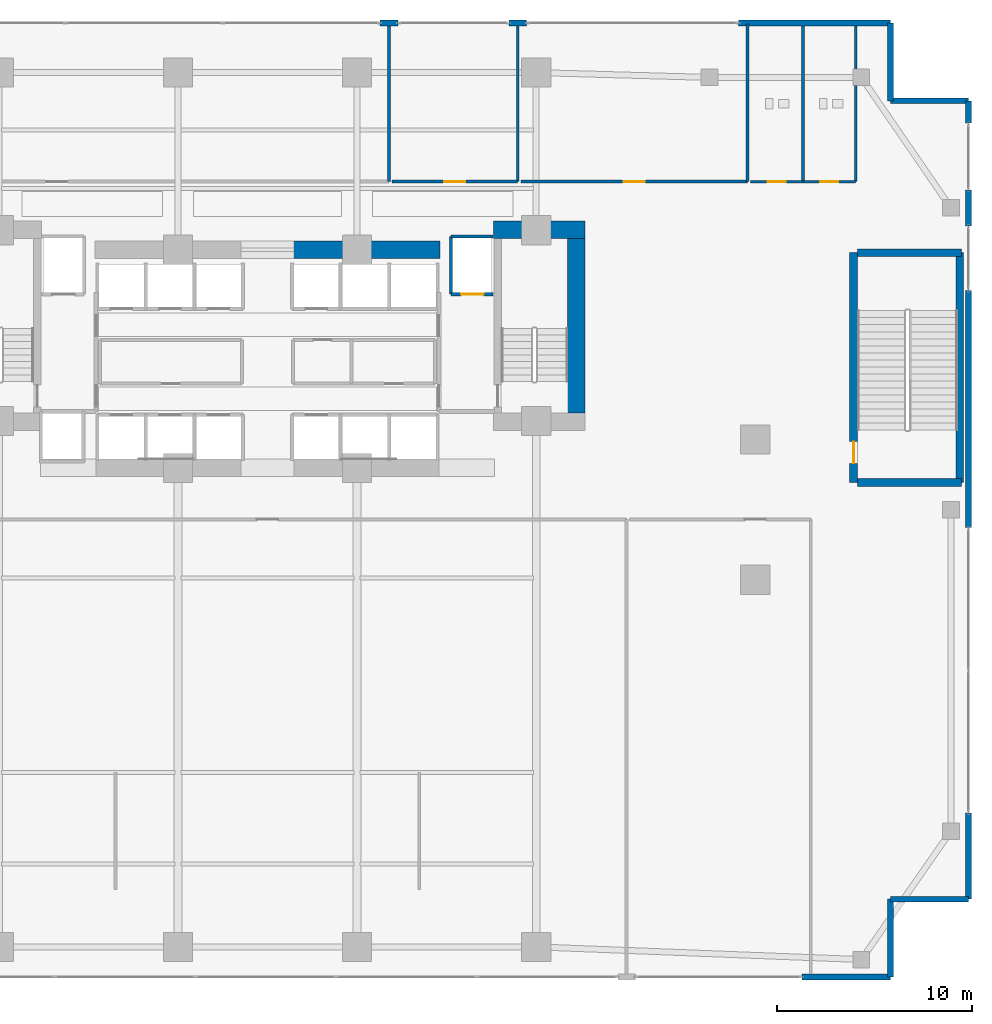
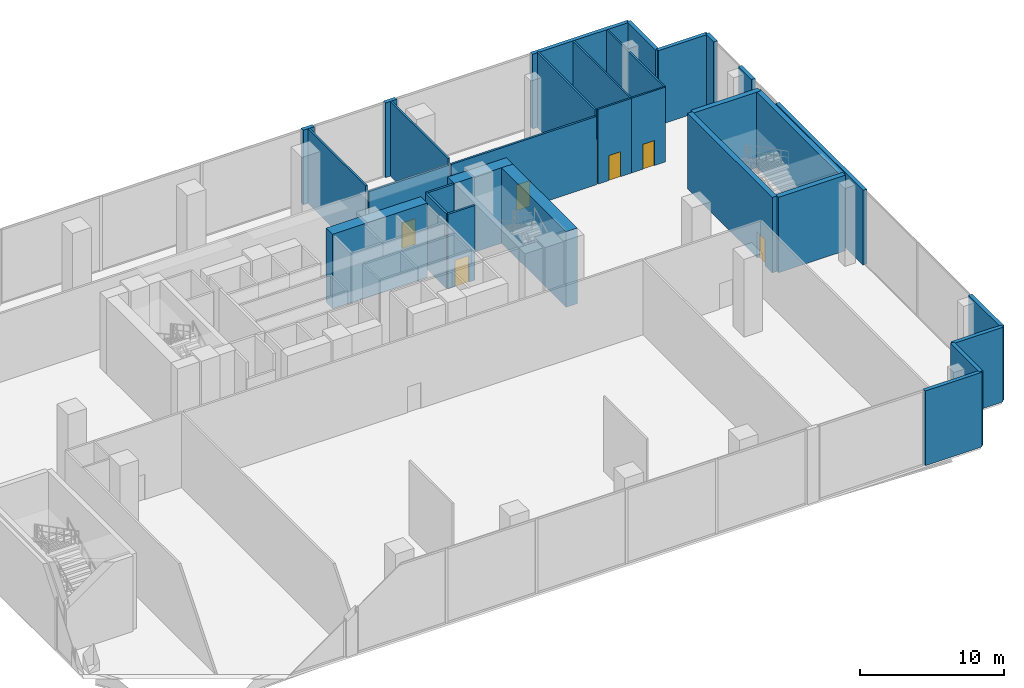
# One storey, part 25 of 30: 31 walls, 6 doors, 6 openings.
"""IFC4 building model written with IfcOpenShell, lengths in metres."""

from ifc_helpers import new_model, si_unit, direction, frame, frame_2d, origin, place, context, subcontext, project, spatial, rectangle, extrude, material, layer, layer_set, type_object, element, fill, save


model = new_model("IFC4")

# Units and contexts
model_context = context("Model", 3, precision=1e-05, world=origin(), true_north=direction((0.0, 1.0)))
body_context = subcontext(model_context, "Body", "Model", "MODEL_VIEW")
ifc_project = project(units=[si_unit("LENGTHUNIT", "METRE"), si_unit("AREAUNIT", "SQUARE_METRE"), si_unit("VOLUMEUNIT", "CUBIC_METRE"), si_unit("PLANEANGLEUNIT", "RADIAN"), si_unit("MASSUNIT", "GRAM", prefix="KILO")], contexts=[model_context])

# Site, building, storey
site_placement = place(None, origin())
site = spatial("IfcSite", under=ifc_project, at=site_placement, CompositionType="ELEMENT")
building_placement = place(site_placement, origin())
building = spatial("IfcBuilding", under=site, at=building_placement, Name="Zuhayl Quay Hotel", CompositionType="ELEMENT")
storey_placement = place(building_placement, frame((0.0, 0.0, 11.39990234375)))
storey = spatial("IfcBuildingStorey", under=building, at=storey_placement, Name="L02", CompositionType="ELEMENT", Elevation=11.39990234375)

# Walls
ifc_material_1 = material(Name="Concrete C70/85", Category="concrete")
ifc_layer_1 = layer(ifc_material_1, 0.89990234375, Name="Concrete C70/85", Category="concrete")
ifc_layer_set_1 = layer_set([ifc_layer_1], Name="Concrete C70/85")
wall_type_1 = type_object("IfcWallType", Name="WL_CORE_900", PredefinedType="SHEAR", material=ifc_layer_set_1)
wall_1_placement = place(storey_placement, frame((11.60009765625, 14.3798828125, 0.0), z_axis=(0.0, 0.0, 1.0), x_axis=(1.0, 0.0, 0.0)))
element("IfcWall", 1, at=wall_1_placement, inside=storey, type_object=wall_type_1, Name="L02 Core Shear Wall CW_NE", PredefinedType="SHEAR", context=body_context, shape_type="SweptSolid", body=[
    extrude(rectangle(XDim=4.7099609375, YDim=0.89990234375, at=frame_2d((2.35498046875, 0.0))), origin(), (0.0, 0.0, 1.0), 6.41015625),
])
wall_2_placement = place(storey_placement, frame((15.860107421875, 4.969970703125, 0.0), z_axis=(0.0, 0.0, 1.0), x_axis=(0.0, 1.0, 0.0)))
element("IfcWall", 2, at=wall_2_placement, inside=storey, type_object=wall_type_1, Name="L02 Core Shear Wall CW_E", PredefinedType="SHEAR", context=body_context, shape_type="SweptSolid", body=[
    extrude(rectangle(XDim=8.9599609375, YDim=0.89990234375, at=frame_2d((4.47998046875, 0.0))), origin(), (0.0, 0.0, 1.0), 6.41015625),
])
wall_3_placement = place(storey_placement, frame((1.25, 13.35009765625, 0.0), z_axis=(0.0, 0.0, 1.0), x_axis=(1.0, 0.0, 0.0)))
element("IfcWall", 3, at=wall_3_placement, inside=storey, type_object=wall_type_1, Name="L02 Core Shear Wall CW_NC_E", PredefinedType="SHEAR", context=body_context, shape_type="SweptSolid", body=[
    extrude(rectangle(XDim=7.60009765625, YDim=0.89990234375, at=frame_2d((3.800048828125, 0.0))), origin(), (0.0, 0.0, 1.0), 6.340087890625),
])
ifc_material_2 = material(Name="Precast concrete C45/55", Category="concrete")
ifc_layer_2 = layer(ifc_material_2, 0.300048828125, Name="Precast concrete C45/55", Category="concrete")
ifc_layer_set_2 = layer_set([ifc_layer_2], Name="Precast concrete C45/55")
wall_type_2 = type_object("IfcWallType", Name="WL_EXT_300", PredefinedType="STANDARD", material=ifc_layer_set_2)
wall_4_placement = place(storey_placement, frame((5.7900390625, 25.0, 0.0), z_axis=(0.0, 0.0, 1.0), x_axis=(1.0, 0.0, 0.0)))
element("IfcWall", 4, at=wall_4_placement, inside=storey, type_object=wall_type_2, Name="L02 Exterior Precast Wall ENV_L02_E05_EW4", PredefinedType="STANDARD", context=body_context, shape_type="SweptSolid", body=[
    extrude(rectangle(XDim=0.89990234375, YDim=0.300048828125, at=frame_2d((0.449951171875, 0.0))), origin(), (0.0, 0.0, 1.0), 6.340087890625),
])
wall_5_placement = place(storey_placement, frame((12.39990234375, 25.0, 0.0), z_axis=(0.0, 0.0, 1.0), x_axis=(1.0, 0.0, 0.0)))
element("IfcWall", 5, at=wall_5_placement, inside=storey, type_object=wall_type_2, Name="L02 Exterior Precast Wall ENV_L02_E05_EW5", PredefinedType="STANDARD", context=body_context, shape_type="SweptSolid", body=[
    extrude(rectangle(XDim=0.900146484375, YDim=0.300048828125, at=frame_2d((0.4501953125, 0.0))), origin(), (0.0, 0.0, 1.0), 6.340087890625),
])
wall_6_placement = place(storey_placement, frame((24.199951171875, 25.0, 0.0), z_axis=(0.0, 0.0, 1.0), x_axis=(1.0, 0.0, 0.0)))
element("IfcWall", 6, at=wall_6_placement, inside=storey, type_object=wall_type_2, Name="L02 Exterior Precast Wall ENV_L02_E05_EW6", PredefinedType="STANDARD", context=body_context, shape_type="SweptSolid", body=[
    extrude(rectangle(XDim=7.800048828125, YDim=0.300048828125, at=frame_2d((3.89990234375, 0.0))), origin(), (0.0, 0.0, 1.0), 6.340087890625),
])
for number, where, z_axis, x_axis, name in (
    (7, (32.0, 25.0, 0.0), (0.0, 0.0, 1.0), (0.0, -1.0, 0.0), "L02 Exterior Precast Wall ENV_L02_EW06"),
    (8, (32.0, 21.0, 0.0), (0.0, 0.0, 1.0), (1.0, 0.0, 0.0), "L02 Exterior Precast Wall ENV_L02_EW07"),
):
    element("IfcWall", number, at=place(storey_placement, frame(where, z_axis=z_axis, x_axis=x_axis)), inside=storey, type_object=wall_type_2, Name=name, PredefinedType="STANDARD", context=body_context, shape_type="SweptSolid", body=[
        extrude(rectangle(XDim=4.0, YDim=0.300048828125, at=frame_2d((2.0, 0.0))), origin(), (0.0, 0.0, 1.0), 6.340087890625),
    ])
wall_7_placement = place(storey_placement, frame((36.0, 21.0, 0.0), z_axis=(0.0, 0.0, 1.0), x_axis=(0.0, -1.0, 0.0)))
element("IfcWall", 9, at=wall_7_placement, inside=storey, type_object=wall_type_2, Name="L02 Exterior Precast Wall ENV_L02_E08_EW1", PredefinedType="STANDARD", context=body_context, shape_type="SweptSolid", body=[
    extrude(rectangle(XDim=1.14990234375, YDim=0.300048828125, at=frame_2d((0.574951171875, 0.0))), origin(), (0.0, 0.0, 1.0), 6.340087890625),
])
wall_8_placement = place(storey_placement, frame((36.0, 16.419921875, 0.0), z_axis=(0.0, 0.0, 1.0), x_axis=(0.0, -1.0, 0.0)))
element("IfcWall", 10, at=wall_8_placement, inside=storey, type_object=wall_type_2, Name="L02 Exterior Precast Wall ENV_L02_E08_EW2", PredefinedType="STANDARD", context=body_context, shape_type="SweptSolid", body=[
    extrude(rectangle(XDim=1.83984375, YDim=0.300048828125, at=frame_2d((0.919921875, 0.0))), origin(), (0.0, 0.0, 1.0), 6.340087890625),
])
wall_9_placement = place(storey_placement, frame((36.0, 11.25, 0.0), z_axis=(0.0, 0.0, 1.0), x_axis=(0.0, -1.0, 0.0)))
element("IfcWall", 11, at=wall_9_placement, inside=storey, type_object=wall_type_2, Name="L02 Exterior Precast Wall ENV_L02_E08_EW3", PredefinedType="STANDARD", context=body_context, shape_type="SweptSolid", body=[
    extrude(rectangle(XDim=12.169921875, YDim=0.300048828125, at=frame_2d((6.0849609375, 0.0))), origin(), (0.0, 0.0, 1.0), 6.340087890625),
])
wall_10_placement = place(storey_placement, frame((36.0, -15.580078125, 0.0), z_axis=(0.0, 0.0, 1.0), x_axis=(0.0, -1.0, 0.0)))
element("IfcWall", 12, at=wall_10_placement, inside=storey, type_object=wall_type_2, Name="L02 Exterior Precast Wall ENV_L02_E08_EW4", PredefinedType="STANDARD", context=body_context, shape_type="SweptSolid", body=[
    extrude(rectangle(XDim=4.419921875, YDim=0.300048828125, at=frame_2d((2.2099609375, 0.0))), origin(), (0.0, 0.0, 1.0), 6.340087890625),
])
for number, where, z_axis, x_axis, name in (
    (13, (36.0, -20.0, 0.0), (0.0, 0.0, 1.0), (-1.0, 0.0, 0.0), "L02 Exterior Precast Wall ENV_L02_EW09"),
    (14, (32.0, -20.0, 0.0), (0.0, 0.0, 1.0), (0.0, -1.0, 0.0), "L02 Exterior Precast Wall ENV_L02_EW10"),
):
    element("IfcWall", number, at=place(storey_placement, frame(where, z_axis=z_axis, x_axis=x_axis)), inside=storey, type_object=wall_type_2, Name=name, PredefinedType="STANDARD", context=body_context, shape_type="SweptSolid", body=[
        extrude(rectangle(XDim=4.0, YDim=0.300048828125, at=frame_2d((2.0, 0.0))), origin(), (0.0, 0.0, 1.0), 6.340087890625),
    ])
wall_11_placement = place(storey_placement, frame((32.0, -24.0, 0.0), z_axis=(0.0, 0.0, 1.0), x_axis=(-1.0, 0.0, 0.0)))
element("IfcWall", 15, at=wall_11_placement, inside=storey, type_object=wall_type_2, Name="L02 Exterior Precast Wall ENV_L02_E11_EW1", PredefinedType="STANDARD", context=body_context, shape_type="SweptSolid", body=[
    extrude(rectangle(XDim=4.550048828125, YDim=0.300048828125, at=frame_2d((2.27490234375, 0.0))), origin(), (0.0, 0.0, 1.0), 6.340087890625),
])
ifc_material_3 = material(Name="Acoustic Gypsum Partition STC-58")
ifc_layer_3 = layer(ifc_material_3, 0.14990234375, Name="Acoustic Gypsum Partition STC-58")
ifc_layer_set_3 = layer_set([ifc_layer_3], Name="Acoustic Gypsum Partition STC-58")
wall_type_3 = type_object("IfcWallType", Name="WL_PART_150", PredefinedType="PARTITIONING", material=ifc_layer_set_3)
for number, where, z_axis, x_axis, name in (
    (16, (6.239990234375, 16.85009765625, 0.0), (0.0, 0.0, 1.0), (0.0, 1.0, 0.0), "L02 Partition IW_L02_SEA_FOYER_E"),
    (17, (12.85009765625, 16.85009765625, 0.0), (0.0, 0.0, 1.0), (0.0, 1.0, 0.0), "L02 Partition IW_L02_AV_CTRL_E"),
    (18, (24.64990234375, 16.85009765625, 0.0), (0.0, 0.0, 1.0), (0.0, 1.0, 0.0), "L02 Partition IW_L02_BANQ_RECEP_E"),
):
    element("IfcWall", number, at=place(storey_placement, frame(where, z_axis=z_axis, x_axis=x_axis)), inside=storey, type_object=wall_type_3, Name=name, PredefinedType="PARTITIONING", context=body_context, shape_type="SweptSolid", body=[
        extrude(rectangle(XDim=8.08984375, YDim=0.14990234375, at=frame_2d((4.044921875, 0.0))), origin(), (0.0, 0.0, 1.0), 6.340087890625),
    ])

# Wall, opening, door
ifc_layer_4 = layer(ifc_material_3, 0.159912109375, Name="Acoustic Gypsum Partition STC-58")
ifc_layer_set_4 = layer_set([ifc_layer_4], Name="Acoustic Gypsum Partition STC-58")
wall_type_4 = type_object("IfcWallType", Name="WL_PART_CORR_160", PredefinedType="PARTITIONING", material=ifc_layer_set_4)
wall_12_placement = place(storey_placement, frame((6.39990234375, 16.85009765625, 0.0), z_axis=(0.0, 0.0, 1.0), x_axis=(1.0, 0.0, 0.0)))
wall_12 = element("IfcWall", 19, at=wall_12_placement, inside=storey, type_object=wall_type_4, Name="L02 Partition IW_L02_AV_CTRL_S", PredefinedType="PARTITIONING", context=body_context, shape_type="SweptSolid", body=[
    extrude(rectangle(XDim=6.4501953125, YDim=0.159912109375, at=frame_2d((3.22509765625, 0.0))), origin(), (0.0, 0.0, 1.0), 5.80712890625),
])
opening_1_placement = place(wall_12_placement, frame((2.68505859375, 0.0, 0.0)))
opening_1 = element("IfcOpeningElement", 20, at=opening_1_placement, cuts=wall_12, Name="Opening D05A", PredefinedType="OPENING", context=body_context, shape_type="SweptSolid", body=[
    extrude(rectangle(XDim=1.080078125, YDim=2.179931640625, at=frame_2d((0.5400390625, 1.08984375))), frame((0.0, 0.08984375, 0.0), z_axis=(0.0, -1.0, 0.0), x_axis=(1.0, 0.0, 0.0)), (0.0, 0.0, 1.0), 0.179931640625),
])
ifc_material_4 = material(Name="Solid Walnut Acoustic Fire Door")
door_type_1 = type_object("IfcDoorType", Name="DR_INT_1100", OperationType="NOTDEFINED", PredefinedType="DOOR", material=ifc_material_4)
door_1_placement = place(opening_1_placement, origin())
door_1 = element("IfcDoor", 21, at=door_1_placement, inside=storey, type_object=door_type_1, Name="L02 Ballroom AV Control Office Door", OperationType="SINGLE_SWING_RIGHT", OverallHeight=2.179931640625, OverallWidth=1.080078125, PredefinedType="DOOR", context=body_context, shape_type="SweptSolid", body=[
    extrude(rectangle(XDim=1.080078125, YDim=2.179931640625, at=frame_2d((0.5400390625, 1.08984375))), frame((0.0, 0.02490234375, 0.0), z_axis=(0.0, -1.0, 0.0), x_axis=(1.0, 0.0, 0.0)), (0.0, 0.0, 1.0), 0.050048828125),
])
fill(opening_1, door_1)

wall_13_placement = place(storey_placement, frame((13.010009765625, 16.85009765625, 0.0), z_axis=(0.0, 0.0, 1.0), x_axis=(1.0, 0.0, 0.0)))
wall_13 = element("IfcWall", 22, at=wall_13_placement, inside=storey, type_object=wall_type_4, Name="L02 Partition IW_L02_BANQ_RECEP_S", PredefinedType="PARTITIONING", context=body_context, shape_type="SweptSolid", body=[
    extrude(rectangle(XDim=11.639892578125, YDim=0.159912109375, at=frame_2d((5.81982421875, 0.0))), origin(), (0.0, 0.0, 1.0), 5.80712890625),
])
opening_2_placement = place(wall_13_placement, frame((5.280029296875, 0.0, 0.0)))
opening_2 = element("IfcOpeningElement", 23, at=opening_2_placement, cuts=wall_13, Name="Opening D05A", PredefinedType="OPENING", context=body_context, shape_type="SweptSolid", body=[
    extrude(rectangle(XDim=1.080078125, YDim=2.179931640625, at=frame_2d((0.5400390625, 1.08984375))), frame((0.0, 0.08984375, 0.0), z_axis=(0.0, -1.0, 0.0), x_axis=(1.0, 0.0, 0.0)), (0.0, 0.0, 1.0), 0.179931640625),
])
door_2_placement = place(opening_2_placement, origin())
door_2 = element("IfcDoor", 24, at=door_2_placement, inside=storey, type_object=door_type_1, Name="L02 Ballroom Furniture and Linen Store Door", OperationType="SINGLE_SWING_LEFT", OverallHeight=2.179931640625, OverallWidth=1.080078125, PredefinedType="DOOR", context=body_context, shape_type="SweptSolid", body=[
    extrude(rectangle(XDim=1.080078125, YDim=2.179931640625, at=frame_2d((0.5400390625, 1.08984375))), frame((0.0, 0.02490234375, 0.0), z_axis=(0.0, -1.0, 0.0), x_axis=(1.0, 0.0, 0.0)), (0.0, 0.0, 1.0), 0.050048828125),
])
fill(opening_2, door_2)

ifc_material_5 = material(Name="Moisture-Resistant Sanitarychase Gypsum")
ifc_layer_5 = layer(ifc_material_5, 0.135009765625, Name="Moisture-Resistant Sanitarychase Gypsum")
ifc_layer_set_5 = layer_set([ifc_layer_5], Name="Moisture-Resistant Sanitarychase Gypsum")
wall_type_5 = type_object("IfcWallType", Name="WL_PART_PLUMB_150", PredefinedType="PLUMBINGWALL", material=ifc_layer_set_5)
wall_14_placement = place(storey_placement, frame((24.800048828125, 16.85009765625, 0.0), z_axis=(0.0, 0.0, 1.0), x_axis=(1.0, 0.0, 0.0)))
wall_14 = element("IfcWall", 25, at=wall_14_placement, inside=storey, type_object=wall_type_5, Name="L02 Partition IW_L02_PWC_PUB_F", PredefinedType="PLUMBINGWALL", context=body_context, shape_type="SweptSolid", body=[
    extrude(rectangle(XDim=2.699951171875, YDim=0.135009765625, at=frame_2d((1.35009765625, 0.0))), origin(), (0.0, 0.0, 1.0), 6.340087890625),
])
opening_3_placement = place(wall_14_placement, frame((0.889892578125, 0.0, 0.0)))
opening_3 = element("IfcOpeningElement", 26, at=opening_3_placement, cuts=wall_14, Name="Opening D05", PredefinedType="OPENING", context=body_context, shape_type="SweptSolid", body=[
    extrude(rectangle(XDim=0.919921875, YDim=2.1201171875, at=frame_2d((0.4599609375, 1.06005859375))), frame((0.0, 0.077392578125, 0.0), z_axis=(0.0, -1.0, 0.0), x_axis=(1.0, 0.0, 0.0)), (0.0, 0.0, 1.0), 0.155029296875),
])
door_type_2 = type_object("IfcDoorType", Name="DR_INT_950", OperationType="NOTDEFINED", PredefinedType="DOOR", material=ifc_material_4)
door_3_placement = place(opening_3_placement, origin())
door_3 = element("IfcDoor", 27, at=door_3_placement, inside=storey, type_object=door_type_2, Name="L02 Public Restroom Door", OperationType="SINGLE_SWING_RIGHT", OverallHeight=2.1201171875, OverallWidth=0.919921875, PredefinedType="DOOR", context=body_context, shape_type="SweptSolid", body=[
    extrude(rectangle(XDim=0.919921875, YDim=2.1201171875, at=frame_2d((0.4599609375, 1.06005859375))), frame((0.0, 0.02490234375, 0.0), z_axis=(0.0, -1.0, 0.0), x_axis=(1.0, 0.0, 0.0)), (0.0, 0.0, 1.0), 0.050048828125),
])
fill(opening_3, door_3)

wall_15_placement = place(storey_placement, frame((27.5, 16.85009765625, 0.0), z_axis=(0.0, 0.0, 1.0), x_axis=(1.0, 0.0, 0.0)))
wall_15 = element("IfcWall", 28, at=wall_15_placement, inside=storey, type_object=wall_type_5, Name="L02 Partition IW_L02_PWC_ACC_F", PredefinedType="PLUMBINGWALL", context=body_context, shape_type="SweptSolid", body=[
    extrude(rectangle(XDim=2.699951171875, YDim=0.135009765625, at=frame_2d((1.35009765625, 0.0))), origin(), (0.0, 0.0, 1.0), 6.340087890625),
])
opening_4_placement = place(wall_15_placement, frame((0.889892578125, 0.0, 0.0)))
opening_4 = element("IfcOpeningElement", 29, at=opening_4_placement, cuts=wall_15, Name="Opening D05", PredefinedType="OPENING", context=body_context, shape_type="SweptSolid", body=[
    extrude(rectangle(XDim=0.919921875, YDim=2.1201171875, at=frame_2d((0.4599609375, 1.06005859375))), frame((0.0, 0.077392578125, 0.0), z_axis=(0.0, -1.0, 0.0), x_axis=(1.0, 0.0, 0.0)), (0.0, 0.0, 1.0), 0.155029296875),
])
door_4_placement = place(opening_4_placement, origin())
door_4 = element("IfcDoor", 30, at=door_4_placement, inside=storey, type_object=door_type_2, Name="L02 Accessible Wheelchair WC Door", OperationType="SINGLE_SWING_LEFT", OverallHeight=2.1201171875, OverallWidth=0.919921875, PredefinedType="DOOR", context=body_context, shape_type="SweptSolid", body=[
    extrude(rectangle(XDim=0.919921875, YDim=2.1201171875, at=frame_2d((0.4599609375, 1.06005859375))), frame((0.0, 0.02490234375, 0.0), z_axis=(0.0, -1.0, 0.0), x_axis=(1.0, 0.0, 0.0)), (0.0, 0.0, 1.0), 0.050048828125),
])
fill(opening_4, door_4)

# Walls
for number, where, z_axis, x_axis, name in (
    (31, (30.199951171875, 16.85009765625, 0.0), (0.0, 0.0, 1.0), (0.0, 1.0, 0.0), "L02 Partition IW_L02_PWC_E"),
    (32, (27.5, 16.85009765625, 0.0), (0.0, 0.0, 1.0), (0.0, 1.0, 0.0), "L02 Partition IW_L02_PWC_DIV"),
):
    element("IfcWall", number, at=place(storey_placement, frame(where, z_axis=z_axis, x_axis=x_axis)), inside=storey, type_object=wall_type_5, Name=name, PredefinedType="PLUMBINGWALL", context=body_context, shape_type="SweptSolid", body=[
        extrude(rectangle(XDim=8.0, YDim=0.135009765625, at=frame_2d((4.0, 0.0))), origin(), (0.0, 0.0, 1.0), 6.340087890625),
    ])

# Wall, opening, door
ifc_material_6 = material(Name="Gypsum Fireboard Assembly EI-90")
ifc_layer_6 = layer(ifc_material_6, 0.1650390625, Name="Gypsum Fireboard Assembly EI-90")
ifc_layer_set_6 = layer_set([ifc_layer_6], Name="Gypsum Fireboard Assembly EI-90")
wall_type_6 = type_object("IfcWallType", Name="WL_PART_SHAFT_160", PredefinedType="PARTITIONING", material=ifc_layer_set_6)
wall_16_placement = place(storey_placement, frame((9.419921875, 11.070068359375, 0.0), z_axis=(0.0, 0.0, 1.0), x_axis=(1.0, 0.0, 0.0)))
wall_16 = element("IfcWall", 33, at=wall_16_placement, inside=storey, type_object=wall_type_6, Name="L02 Partition IW_L02_SH_FL2_F", PredefinedType="PARTITIONING", context=body_context, shape_type="SweptSolid", body=[
    extrude(rectangle(XDim=2.16015625, YDim=0.1650390625, at=frame_2d((1.080078125, 0.0))), origin(), (0.0, 0.0, 1.0), 6.340087890625),
])
opening_5_placement = place(wall_16_placement, frame((0.530029296875, 0.0, 0.0)))
opening_5 = element("IfcOpeningElement", 34, at=opening_5_placement, cuts=wall_16, Name="Opening LD2", PredefinedType="OPENING", context=body_context, shape_type="SweptSolid", body=[
    extrude(rectangle(XDim=1.14990234375, YDim=2.25, at=frame_2d((0.574951171875, 1.125))), frame((0.0, 0.092529296875, 0.0), z_axis=(0.0, -1.0, 0.0), x_axis=(1.0, 0.0, 0.0)), (0.0, 0.0, 1.0), 0.18505859375),
])
ifc_material_7 = material(Name="Brushed Stainless Steel", Category="steel")
door_type_3 = type_object("IfcDoorType", Name="DR_LIFT_FF_1100", OperationType="SLIDING_TO_LEFT", PredefinedType="DOOR", material=ifc_material_7)
door_5_placement = place(opening_5_placement, origin())
door_5 = element("IfcDoor", 35, at=door_5_placement, inside=storey, type_object=door_type_3, Name="L02 Lift FL2 Sliding Landing Door", OperationType="SLIDING_TO_LEFT", OverallHeight=2.25, OverallWidth=1.14990234375, PredefinedType="DOOR", context=body_context, shape_type="SweptSolid", body=[
    extrude(rectangle(XDim=1.14990234375, YDim=2.25, at=frame_2d((0.574951171875, 1.125))), frame((0.0, 0.02490234375, 0.0), z_axis=(0.0, -1.0, 0.0), x_axis=(1.0, 0.0, 0.0)), (0.0, 0.0, 1.0), 0.050048828125),
])
fill(opening_5, door_5)

# Walls
wall_17_placement = place(storey_placement, frame((9.419921875, 11.070068359375, 0.0), z_axis=(0.0, 0.0, 1.0), x_axis=(0.0, 1.0, 0.0)))
element("IfcWall", 36, at=wall_17_placement, inside=storey, type_object=wall_type_6, Name="L02 Partition IW_L02_SH_FL2_W", PredefinedType="PARTITIONING", context=body_context, shape_type="SweptSolid", body=[
    extrude(rectangle(XDim=2.9599609375, YDim=0.1650390625, at=frame_2d((1.47998046875, 0.0))), origin(), (0.0, 0.0, 1.0), 6.340087890625),
])
wall_18_placement = place(storey_placement, frame((9.419921875, 14.030029296875, 0.0), z_axis=(0.0, 0.0, 1.0), x_axis=(1.0, 0.0, 0.0)))
element("IfcWall", 37, at=wall_18_placement, inside=storey, type_object=wall_type_6, Name="L02 Partition IW_L02_SH_FL2_B", PredefinedType="PARTITIONING", context=body_context, shape_type="SweptSolid", body=[
    extrude(rectangle(XDim=2.16015625, YDim=0.1650390625, at=frame_2d((1.080078125, 0.0))), origin(), (0.0, 0.0, 1.0), 6.340087890625),
])

# Wall, opening, door
ifc_material_8 = material(Name="Concrete C60/75", Category="concrete")
ifc_layer_7 = layer(ifc_material_8, 0.39990234375, Name="Concrete C60/75", Category="concrete")
ifc_layer_set_7 = layer_set([ifc_layer_7], Name="Concrete C60/75")
wall_type_7 = type_object("IfcWallType", Name="WL_STAIR_400", PredefinedType="SHEAR", material=ifc_layer_set_7)
wall_19_placement = place(storey_placement, frame((30.10009765625, 13.199951171875, 0.0), z_axis=(0.0, 0.0, 1.0), x_axis=(0.0, -1.0, 0.0)))
wall_19 = element("IfcWall", 38, at=wall_19_placement, inside=storey, type_object=wall_type_7, Name="L02 Podium Stair Shear Wall SW_ST4_W", PredefinedType="SHEAR", context=body_context, shape_type="SweptSolid", body=[
    extrude(rectangle(XDim=11.800048828125, YDim=0.39990234375, at=frame_2d((5.89990234375, 0.0))), origin(), (0.0, 0.0, 1.0), 6.41015625),
])
opening_6_placement = place(wall_19_placement, frame((9.699951171875, 0.0, 0.0)))
opening_6 = element("IfcOpeningElement", 39, at=opening_6_placement, cuts=wall_19, Name="Opening D01", PredefinedType="OPENING", context=body_context, shape_type="SweptSolid", body=[
    extrude(rectangle(XDim=1.1201171875, YDim=2.219970703125, at=frame_2d((0.56005859375, 1.10986328125))), frame((0.0, 0.2099609375, 0.0), z_axis=(0.0, -1.0, 0.0), x_axis=(1.0, 0.0, 0.0)), (0.0, 0.0, 1.0), 0.419921875),
])
ifc_material_9 = material(Name="Steel ASTM A992 Grade 50", Category="steel")
door_type_4 = type_object("IfcDoorType", Name="DR_STAIR_90_1100", OperationType="NOTDEFINED", PredefinedType="DOOR", material=ifc_material_9)
door_6_placement = place(opening_6_placement, origin())
door_6 = element("IfcDoor", 40, at=door_6_placement, inside=storey, type_object=door_type_4, Name="L02 Podium Exit Stair ST4 Door", OperationType="SINGLE_SWING_LEFT", OverallHeight=2.219970703125, OverallWidth=1.1201171875, PredefinedType="DOOR", context=body_context, shape_type="SweptSolid", body=[
    extrude(rectangle(XDim=1.1201171875, YDim=2.219970703125, at=frame_2d((0.56005859375, 1.10986328125))), frame((0.0, 0.02490234375, 0.0), z_axis=(0.0, -1.0, 0.0), x_axis=(1.0, 0.0, 0.0)), (0.0, 0.0, 1.0), 0.050048828125),
])
fill(opening_6, door_6)

# Walls
for number, where, z_axis, x_axis, name in (
    (41, (30.300048828125, 1.39990234375, 0.0), (0.0, 0.0, 1.0), (1.0, 0.0, 0.0), "L02 Podium Stair Shear Wall SW_ST4_S"),
    (42, (30.300048828125, 13.199951171875, 0.0), (0.0, 0.0, 1.0), (1.0, 0.0, 0.0), "L02 Podium Stair Shear Wall SW_ST4_N"),
):
    element("IfcWall", number, at=place(storey_placement, frame(where, z_axis=z_axis, x_axis=x_axis)), inside=storey, type_object=wall_type_7, Name=name, PredefinedType="SHEAR", context=body_context, shape_type="SweptSolid", body=[
        extrude(rectangle(XDim=5.349853515625, YDim=0.39990234375, at=frame_2d((2.6748046875, 0.0))), origin(), (0.0, 0.0, 1.0), 6.41015625),
    ])
wall_20_placement = place(storey_placement, frame((35.550048828125, 1.39990234375, 0.0), z_axis=(0.0, 0.0, 1.0), x_axis=(0.0, 1.0, 0.0)))
element("IfcWall", 43, at=wall_20_placement, inside=storey, type_object=wall_type_7, Name="L02 Podium Stair Shear Wall SW_ST4_E", PredefinedType="SHEAR", context=body_context, shape_type="SweptSolid", body=[
    extrude(rectangle(XDim=11.800048828125, YDim=0.39990234375, at=frame_2d((5.89990234375, 0.0))), origin(), (0.0, 0.0, 1.0), 6.41015625),
])

save(model, "model.ifc")
